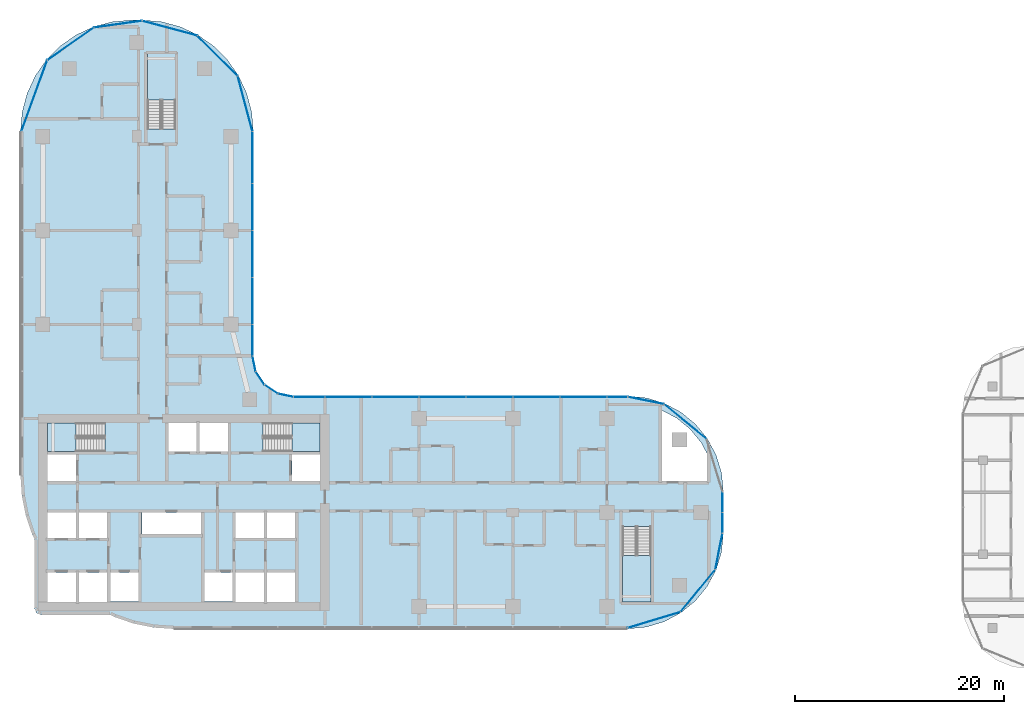
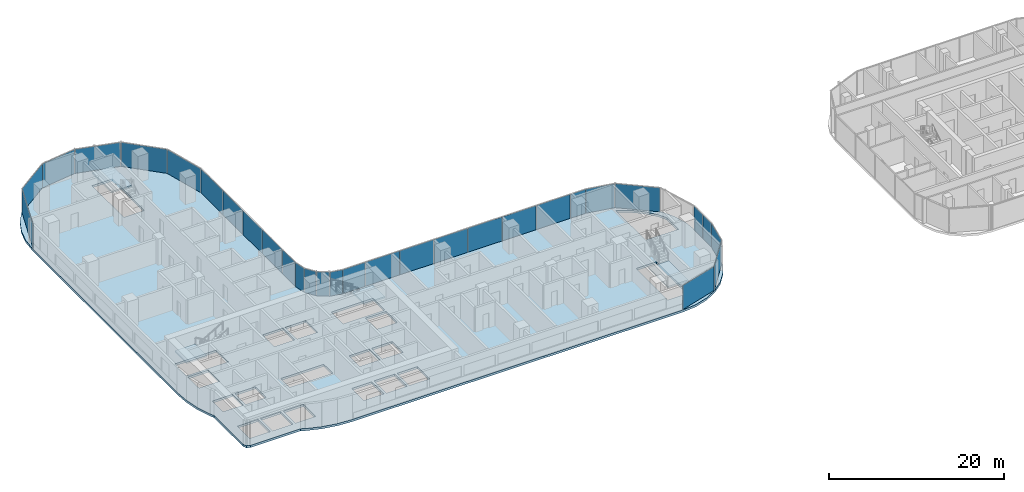
# One storey, part 14 of 32: 30 plates, 5 slabs, 11 elements without a shape of their own.
"""IFC4 building model written with IfcOpenShell, lengths in metres."""

from ifc_helpers import new_model, si_unit, direction, frame, origin, origin_2d, place, context, subcontext, project, spatial, polyline, rectangle, outline, extrude, material, layer, layer_set, type_object, element, aggregate, save


model = new_model("IFC4")

# Units and contexts
model_context = context("Model", 3, precision=1e-05, world=origin(), true_north=direction((0.0, 1.0)))
body_context = subcontext(model_context, "Body", "Model", "MODEL_VIEW")
ifc_project = project(units=[si_unit("LENGTHUNIT", "METRE"), si_unit("AREAUNIT", "SQUARE_METRE"), si_unit("VOLUMEUNIT", "CUBIC_METRE"), si_unit("PLANEANGLEUNIT", "RADIAN"), si_unit("MASSUNIT", "GRAM", prefix="KILO")], contexts=[model_context])

# Site, building, storey
site_placement = place(None, origin())
site = spatial("IfcSite", under=ifc_project, at=site_placement, CompositionType="ELEMENT")
building_placement = place(site_placement, origin())
building = spatial("IfcBuilding", under=site, at=building_placement, Name="Ogive Portal Towers", CompositionType="ELEMENT")
storey_placement = place(building_placement, frame((0.0, 0.0, 59.39990234375)))
storey = spatial("IfcBuildingStorey", under=building, at=storey_placement, Name="L13", CompositionType="ELEMENT", Elevation=59.39990234375)

# Curtain wall, plates
ifc_material_1 = material(Name="Glass, clear low-iron insulated glazing", Category="glass")
curtain_wall_type = type_object("IfcCurtainWallType", Name="CW FRONT RIBBON 4500", PredefinedType="NOTDEFINED", material=ifc_material_1)
curtain_wall_1_placement = place(storey_placement, origin())
curtain_wall_1 = element("IfcCurtainWall", 1, at=curtain_wall_1_placement, inside=storey, type_object=curtain_wall_type, Name="A:L13:f12:cw0", PredefinedType="NOTDEFINED")
ifc_layer_1 = layer(ifc_material_1, 0.028076171875)
ifc_layer_set_1 = layer_set([ifc_layer_1], Name="CW PANEL IGU 28")
plate_type = type_object("IfcPlateType", Name="CW PANEL IGU 28", PredefinedType="CURTAIN_PANEL", material=ifc_layer_set_1)
plate_1_placement = place(storey_placement, frame((96.56494140625, 29.50390625, 0.0), z_axis=(0.0, 0.0, 1.0), x_axis=(0.0, 1.0, 0.0)))
plate_1 = element("IfcPlate", 2, at=plate_1_placement, type_object=plate_type, Name="panel", PredefinedType="CURTAIN_PANEL", context=body_context, shape_type="SweptSolid", body=[
    extrude(rectangle(XDim=1.93212890625, YDim=0.028076171875, at=origin_2d()), origin(), (0.0, 0.0, 1.0), 3.340087890625),
])
plate_2_placement = place(storey_placement, frame((96.56494140625, 31.494140625, 0.0), z_axis=(0.0, 0.0, 1.0), x_axis=(0.0, 1.0, 0.0)))
plate_2 = element("IfcPlate", 3, at=plate_2_placement, type_object=plate_type, Name="panel", PredefinedType="CURTAIN_PANEL", context=body_context, shape_type="SweptSolid", body=[
    extrude(rectangle(XDim=1.92822265625, YDim=0.028076171875, at=origin_2d()), origin(), (0.0, 0.0, 1.0), 3.340087890625),
])
aggregate(curtain_wall_1, [plate_1, plate_2])

curtain_wall_2_placement = place(storey_placement, origin())
curtain_wall_2 = element("IfcCurtainWall", 4, at=curtain_wall_2_placement, inside=storey, type_object=curtain_wall_type, Name="A:L13:f16:cw0", PredefinedType="NOTDEFINED")
plate_3_placement = place(storey_placement, frame((86.49609375, 41.56494140625, 0.0), z_axis=(0.0, 0.0, 1.0), x_axis=(-1.0, 0.0, 0.0)))
plate_3 = element("IfcPlate", 5, at=plate_3_placement, type_object=plate_type, Name="panel", PredefinedType="CURTAIN_PANEL", context=body_context, shape_type="SweptSolid", body=[
    extrude(rectangle(XDim=1.93212890625, YDim=0.028076171875, at=origin_2d()), origin(), (0.0, 0.0, 1.0), 3.340087890625),
])
plate_4_placement = place(storey_placement, frame((83.25, 41.56494140625, 0.0), z_axis=(0.0, 0.0, 1.0), x_axis=(-1.0, 0.0, 0.0)))
plate_4 = element("IfcPlate", 6, at=plate_4_placement, type_object=plate_type, Name="panel", PredefinedType="CURTAIN_PANEL", context=body_context, shape_type="SweptSolid", body=[
    extrude(rectangle(XDim=4.43994140625, YDim=0.028076171875, at=origin_2d()), origin(), (0.0, 0.0, 1.0), 3.340087890625),
])
plate_5_placement = place(storey_placement, frame((78.75, 41.56494140625, 0.0), z_axis=(0.0, 0.0, 1.0), x_axis=(-1.0, 0.0, 0.0)))
plate_5 = element("IfcPlate", 7, at=plate_5_placement, type_object=plate_type, Name="panel", PredefinedType="CURTAIN_PANEL", context=body_context, shape_type="SweptSolid", body=[
    extrude(rectangle(XDim=4.43994140625, YDim=0.028076171875, at=origin_2d()), origin(), (0.0, 0.0, 1.0), 3.340087890625),
])
plate_6_placement = place(storey_placement, frame((74.25, 41.56494140625, 0.0), z_axis=(0.0, 0.0, 1.0), x_axis=(-1.0, 0.0, 0.0)))
plate_6 = element("IfcPlate", 8, at=plate_6_placement, type_object=plate_type, Name="panel", PredefinedType="CURTAIN_PANEL", context=body_context, shape_type="SweptSolid", body=[
    extrude(rectangle(XDim=4.43994140625, YDim=0.028076171875, at=origin_2d()), origin(), (0.0, 0.0, 1.0), 3.340087890625),
])
plate_7_placement = place(storey_placement, frame((69.75, 41.56494140625, 0.0), z_axis=(0.0, 0.0, 1.0), x_axis=(-1.0, 0.0, 0.0)))
plate_7 = element("IfcPlate", 9, at=plate_7_placement, type_object=plate_type, Name="panel", PredefinedType="CURTAIN_PANEL", context=body_context, shape_type="SweptSolid", body=[
    extrude(rectangle(XDim=4.43994140625, YDim=0.028076171875, at=origin_2d()), origin(), (0.0, 0.0, 1.0), 3.340087890625),
])
plate_8_placement = place(storey_placement, frame((65.25, 41.56494140625, 0.0), z_axis=(0.0, 0.0, 1.0), x_axis=(-1.0, 0.0, 0.0)))
plate_8 = element("IfcPlate", 10, at=plate_8_placement, type_object=plate_type, Name="panel", PredefinedType="CURTAIN_PANEL", context=body_context, shape_type="SweptSolid", body=[
    extrude(rectangle(XDim=4.43994140625, YDim=0.028076171875, at=origin_2d()), origin(), (0.0, 0.0, 1.0), 3.340087890625),
])
plate_9_placement = place(storey_placement, frame((60.75, 41.56494140625, 0.0), z_axis=(0.0, 0.0, 1.0), x_axis=(-1.0, 0.0, 0.0)))
plate_9 = element("IfcPlate", 11, at=plate_9_placement, type_object=plate_type, Name="panel", PredefinedType="CURTAIN_PANEL", context=body_context, shape_type="SweptSolid", body=[
    extrude(rectangle(XDim=4.43994140625, YDim=0.028076171875, at=origin_2d()), origin(), (0.0, 0.0, 1.0), 3.340087890625),
])
plate_10_placement = place(storey_placement, frame((56.99609375, 41.56494140625, 0.0), z_axis=(0.0, 0.0, 1.0), x_axis=(-1.0, 0.0, 0.0)))
plate_10 = element("IfcPlate", 12, at=plate_10_placement, type_object=plate_type, Name="panel", PredefinedType="CURTAIN_PANEL", context=body_context, shape_type="SweptSolid", body=[
    extrude(rectangle(XDim=2.947998046875, YDim=0.028076171875, at=origin_2d()), origin(), (0.0, 0.0, 1.0), 3.340087890625),
])
aggregate(curtain_wall_2, [plate_3, plate_4, plate_5, plate_6, plate_7, plate_8, plate_9, plate_10])

curtain_wall_3_placement = place(storey_placement, origin())
curtain_wall_3 = element("IfcCurtainWall", 13, at=curtain_wall_3_placement, inside=storey, type_object=curtain_wall_type, Name="A:L13:f21:cw0", PredefinedType="NOTDEFINED")
plate_11_placement = place(storey_placement, frame((51.56494140625, 46.99609375, 0.0), z_axis=(0.0, 0.0, 1.0), x_axis=(0.0, 1.0, 0.0)))
plate_11 = element("IfcPlate", 14, at=plate_11_placement, type_object=plate_type, Name="panel", PredefinedType="CURTAIN_PANEL", context=body_context, shape_type="SweptSolid", body=[
    extrude(rectangle(XDim=2.947998046875, YDim=0.028076171875, at=origin_2d()), origin(), (0.0, 0.0, 1.0), 3.340087890625),
])
plate_12_placement = place(storey_placement, frame((51.56494140625, 50.75, 0.0), z_axis=(0.0, 0.0, 1.0), x_axis=(0.0, 1.0, 0.0)))
plate_12 = element("IfcPlate", 15, at=plate_12_placement, type_object=plate_type, Name="panel", PredefinedType="CURTAIN_PANEL", context=body_context, shape_type="SweptSolid", body=[
    extrude(rectangle(XDim=4.43994140625, YDim=0.028076171875, at=origin_2d()), origin(), (0.0, 0.0, 1.0), 3.340087890625),
])
plate_13_placement = place(storey_placement, frame((51.56494140625, 55.25, 0.0), z_axis=(0.0, 0.0, 1.0), x_axis=(0.0, 1.0, 0.0)))
plate_13 = element("IfcPlate", 16, at=plate_13_placement, type_object=plate_type, Name="panel", PredefinedType="CURTAIN_PANEL", context=body_context, shape_type="SweptSolid", body=[
    extrude(rectangle(XDim=4.43994140625, YDim=0.028076171875, at=origin_2d()), origin(), (0.0, 0.0, 1.0), 3.340087890625),
])
plate_14_placement = place(storey_placement, frame((51.56494140625, 59.75, 0.0), z_axis=(0.0, 0.0, 1.0), x_axis=(0.0, 1.0, 0.0)))
plate_14 = element("IfcPlate", 17, at=plate_14_placement, type_object=plate_type, Name="panel", PredefinedType="CURTAIN_PANEL", context=body_context, shape_type="SweptSolid", body=[
    extrude(rectangle(XDim=4.43994140625, YDim=0.028076171875, at=origin_2d()), origin(), (0.0, 0.0, 1.0), 3.340087890625),
])
plate_15_placement = place(storey_placement, frame((51.56494140625, 64.49462890625, 0.0), z_axis=(0.0, 0.0, 1.0), x_axis=(0.0, 1.0, 0.0)))
plate_15 = element("IfcPlate", 18, at=plate_15_placement, type_object=plate_type, Name="panel", PredefinedType="CURTAIN_PANEL", context=body_context, shape_type="SweptSolid", body=[
    extrude(rectangle(XDim=4.929443359375, YDim=0.028076171875, at=origin_2d()), origin(), (0.0, 0.0, 1.0), 3.340087890625),
])
aggregate(curtain_wall_3, [plate_11, plate_12, plate_13, plate_14, plate_15])

curtain_wall_4_placement = place(storey_placement, origin())
curtain_wall_4 = element("IfcCurtainWall", 19, at=curtain_wall_4_placement, inside=storey, type_object=curtain_wall_type, Name="A:L13:f09:cwa", PredefinedType="NOTDEFINED")
plate_16_placement = place(storey_placement, frame((90.01123046875, 20.200439453125, 0.0), z_axis=(0.0, 0.0, 1.0), x_axis=(0.956940335732, 0.290284677254, 0.0)))
plate_16 = element("IfcPlate", 20, at=plate_16_placement, type_object=plate_type, Name="panel", PredefinedType="CURTAIN_PANEL", context=body_context, shape_type="SweptSolid", body=[
    extrude(rectangle(XDim=5.213134765625, YDim=0.028076171875, at=origin_2d()), origin(), (0.0, 0.0, 1.0), 3.340087890625),
])
plate_17_placement = place(storey_placement, frame((94.204345703125, 23.000732421875, 0.0), z_axis=(0.0, 0.0, 1.0), x_axis=(0.634393284164, 0.773010453363, 0.0)))
plate_17 = element("IfcPlate", 21, at=plate_17_placement, type_object=plate_type, Name="panel", PredefinedType="CURTAIN_PANEL", context=body_context, shape_type="SweptSolid", body=[
    extrude(rectangle(XDim=5.205078125, YDim=0.028076171875, at=origin_2d()), origin(), (0.0, 0.0, 1.0), 3.340087890625),
])
plate_18_placement = place(storey_placement, frame((96.2197265625, 26.771728515625, 0.0), z_axis=(0.0, 0.0, 1.0), x_axis=(0.195090322016, 0.980785280403, 0.0)))
plate_18 = element("IfcPlate", 22, at=plate_18_placement, type_object=plate_type, Name="panel", PredefinedType="CURTAIN_PANEL", context=body_context, shape_type="SweptSolid", body=[
    extrude(rectangle(XDim=3.480224609375, YDim=0.028076171875, at=origin_2d()), origin(), (0.0, 0.0, 1.0), 3.340087890625),
])
aggregate(curtain_wall_4, [plate_16, plate_17, plate_18])

curtain_wall_5_placement = place(storey_placement, origin())
curtain_wall_5 = element("IfcCurtainWall", 23, at=curtain_wall_5_placement, inside=storey, type_object=curtain_wall_type, Name="A:L13:f13:cwa", PredefinedType="NOTDEFINED")
plate_19_placement = place(storey_placement, frame((92.999267578125, 39.204345703125, 0.0), z_axis=(0.0, 0.0, 1.0), x_axis=(-0.773010453363, 0.634393284164, 0.0)))
plate_19 = element("IfcPlate", 24, at=plate_19_placement, type_object=plate_type, Name="panel", PredefinedType="CURTAIN_PANEL", context=body_context, shape_type="SweptSolid", body=[
    extrude(rectangle(XDim=5.205078125, YDim=0.028076171875, at=origin_2d()), origin(), (0.0, 0.0, 1.0), 3.340087890625),
])
plate_20_placement = place(storey_placement, frame((89.228271484375, 41.2197265625, 0.0), z_axis=(0.0, 0.0, 1.0), x_axis=(-0.980785280403, 0.195090322016, 0.0)))
plate_20 = element("IfcPlate", 25, at=plate_20_placement, type_object=plate_type, Name="panel", PredefinedType="CURTAIN_PANEL", context=body_context, shape_type="SweptSolid", body=[
    extrude(rectangle(XDim=3.480224609375, YDim=0.028076171875, at=origin_2d()), origin(), (0.0, 0.0, 1.0), 3.340087890625),
])
aggregate(curtain_wall_5, [plate_19, plate_20])

curtain_wall_6_placement = place(storey_placement, origin())
curtain_wall_6 = element("IfcCurtainWall", 26, at=curtain_wall_6_placement, inside=storey, type_object=curtain_wall_type, Name="A:L13:f17:cwa", PredefinedType="NOTDEFINED")
plate_21_placement = place(storey_placement, frame((54.742919921875, 41.714111328125, 0.0), z_axis=(0.0, 0.0, 1.0), x_axis=(-0.980785280403, 0.195090322016, 0.0)))
plate_21 = element("IfcPlate", 27, at=plate_21_placement, type_object=plate_type, Name="panel", PredefinedType="CURTAIN_PANEL", context=body_context, shape_type="SweptSolid", body=[
    extrude(rectangle(XDim=1.468017578125, YDim=0.028076171875, at=origin_2d()), origin(), (0.0, 0.0, 1.0), 3.340087890625),
])
plate_22_placement = place(storey_placement, frame((53.35498046875, 42.289794921875, 0.0), z_axis=(0.0, 0.0, 1.0), x_axis=(-0.831469612303, 0.55557023302, 0.0)))
plate_22 = element("IfcPlate", 28, at=plate_22_placement, type_object=plate_type, Name="panel", PredefinedType="CURTAIN_PANEL", context=body_context, shape_type="SweptSolid", body=[
    extrude(rectangle(XDim=1.47607421875, YDim=0.028076171875, at=origin_2d()), origin(), (0.0, 0.0, 1.0), 3.340087890625),
])
plate_23_placement = place(storey_placement, frame((52.289794921875, 43.35498046875, 0.0), z_axis=(0.0, 0.0, 1.0), x_axis=(-0.55557023302, 0.831469612303, 0.0)))
plate_23 = element("IfcPlate", 29, at=plate_23_placement, type_object=plate_type, Name="panel", PredefinedType="CURTAIN_PANEL", context=body_context, shape_type="SweptSolid", body=[
    extrude(rectangle(XDim=1.47607421875, YDim=0.028076171875, at=origin_2d()), origin(), (0.0, 0.0, 1.0), 3.340087890625),
])
plate_24_placement = place(storey_placement, frame((51.714111328125, 44.742919921875, 0.0), z_axis=(0.0, 0.0, 1.0), x_axis=(-0.195090322016, 0.980785280403, 0.0)))
plate_24 = element("IfcPlate", 30, at=plate_24_placement, type_object=plate_type, Name="panel", PredefinedType="CURTAIN_PANEL", context=body_context, shape_type="SweptSolid", body=[
    extrude(rectangle(XDim=1.468017578125, YDim=0.028076171875, at=origin_2d()), origin(), (0.0, 0.0, 1.0), 3.340087890625),
])
aggregate(curtain_wall_6, [plate_21, plate_22, plate_23, plate_24])

curtain_wall_7_placement = place(storey_placement, origin())
curtain_wall_7 = element("IfcCurtainWall", 31, at=curtain_wall_7_placement, inside=storey, type_object=curtain_wall_type, Name="A:L13:f22:cwa", PredefinedType="NOTDEFINED")
plate_25_placement = place(storey_placement, frame((50.85595703125, 69.63525390625, 0.0), z_axis=(0.0, 0.0, 1.0), x_axis=(-0.258819045103, 0.965925826289, 0.0)))
plate_25 = element("IfcPlate", 32, at=plate_25_placement, type_object=plate_type, Name="panel", PredefinedType="CURTAIN_PANEL", context=body_context, shape_type="SweptSolid", body=[
    extrude(rectangle(XDim=5.418212890625, YDim=0.028076171875, at=origin_2d()), origin(), (0.0, 0.0, 1.0), 3.340087890625),
])
plate_26_placement = place(storey_placement, frame((48.214111328125, 74.214111328125, 0.0), z_axis=(0.0, 0.0, 1.0), x_axis=(-0.707106781187, 0.707106781187, 0.0)))
plate_26 = element("IfcPlate", 33, at=plate_26_placement, type_object=plate_type, Name="panel", PredefinedType="CURTAIN_PANEL", context=body_context, shape_type="SweptSolid", body=[
    extrude(rectangle(XDim=5.407470703125, YDim=0.028076171875, at=origin_2d()), origin(), (0.0, 0.0, 1.0), 3.340087890625),
])
plate_27_placement = place(storey_placement, frame((43.637939453125, 76.855224609375, 0.0), z_axis=(0.0, 0.0, 1.0), x_axis=(-0.965925826289, 0.258819045103, 0.0)))
plate_27 = element("IfcPlate", 34, at=plate_27_placement, type_object=plate_type, Name="panel", PredefinedType="CURTAIN_PANEL", context=body_context, shape_type="SweptSolid", body=[
    extrude(rectangle(XDim=5.41259765625, YDim=0.028076171875, at=origin_2d()), origin(), (0.0, 0.0, 1.0), 3.340087890625),
])
plate_28_placement = place(storey_placement, frame((38.692138671875, 77.244873046875, 0.0), z_axis=(0.0, 0.0, 1.0), x_axis=(-0.990567282946, -0.137027216118, 0.0)))
plate_28 = element("IfcPlate", 35, at=plate_28_placement, type_object=plate_type, Name="panel", PredefinedType="CURTAIN_PANEL", context=body_context, shape_type="SweptSolid", body=[
    extrude(rectangle(XDim=4.589599609375, YDim=0.028076171875, at=origin_2d()), origin(), (0.0, 0.0, 1.0), 3.340087890625),
])
plate_29_placement = place(storey_placement, frame((34.150634765625, 75.35888671875, 0.0), z_axis=(0.0, 0.0, 1.0), x_axis=(-0.819152044289, -0.573576436351, 0.0)))
plate_29 = element("IfcPlate", 36, at=plate_29_placement, type_object=plate_type, Name="panel", PredefinedType="CURTAIN_PANEL", context=body_context, shape_type="SweptSolid", body=[
    extrude(rectangle(XDim=5.40576171875, YDim=0.028076171875, at=origin_2d()), origin(), (0.0, 0.0, 1.0), 3.340087890625),
])
plate_30_placement = place(storey_placement, frame((30.673583984375, 70.388671875, 0.0), z_axis=(0.0, 0.0, 1.0), x_axis=(-0.342020143326, -0.939692620786, 0.0)))
plate_30 = element("IfcPlate", 37, at=plate_30_placement, type_object=plate_type, Name="panel", PredefinedType="CURTAIN_PANEL", context=body_context, shape_type="SweptSolid", body=[
    extrude(rectangle(XDim=7.182373046875, YDim=0.028076171875, at=origin_2d()), origin(), (0.0, 0.0, 1.0), 3.340087890625),
])
aggregate(curtain_wall_7, [plate_25, plate_26, plate_27, plate_28, plate_29, plate_30])

# Stair, slab
ifc_material_2 = material(Name="Concrete C40/50", Category="concrete")
stair_type = type_object("IfcStairType", Name="INT-STAIR", PredefinedType="HALF_TURN_STAIR", material=ifc_material_2)
stair_1_placement = place(storey_placement, origin())
stair_1 = element("IfcStair", 38, at=stair_1_placement, inside=storey, type_object=stair_type, Name="L13 Exit Stair ST-A1", PredefinedType="HALF_TURN_STAIR")
ifc_layer_2 = layer(ifc_material_2, 0.199951171875)
ifc_layer_set_2 = layer_set([ifc_layer_2], Name="INT-LANDING")
slab_type_1 = type_object("IfcSlabType", Name="INT-LANDING", PredefinedType="LANDING", material=ifc_layer_set_2)
slab_1_placement = place(storey_placement, frame((0.0, 0.0, 1.650146484375)))
slab_1 = element("IfcSlab", 39, at=slab_1_placement, type_object=slab_type_1, Name="ST-A1 landing 1", PredefinedType="LANDING", context=body_context, shape_type="SweptSolid", body=[
    extrude(outline(polyline([(34.64990234375, 39.050048828125), (31.949951171875, 39.050048828125), (31.949951171875, 36.35009765625), (34.64990234375, 36.35009765625), (34.64990234375, 39.050048828125)])), origin(), (0.0, 0.0, 1.0), 0.199951171875),
])
aggregate(stair_1, [slab_1])

stair_2_placement = place(storey_placement, origin())
stair_2 = element("IfcStair", 40, at=stair_2_placement, inside=storey, type_object=stair_type, Name="L13 Exit Stair ST-A2", PredefinedType="HALF_TURN_STAIR")
slab_2_placement = place(storey_placement, frame((0.0, 0.0, 1.650146484375)))
slab_2 = element("IfcSlab", 41, at=slab_2_placement, type_object=slab_type_1, Name="ST-A2 landing 1", PredefinedType="LANDING", context=body_context, shape_type="SweptSolid", body=[
    extrude(outline(polyline([(55.35009765625, 36.35009765625), (58.050048828125, 36.35009765625), (58.050048828125, 39.050048828125), (55.35009765625, 39.050048828125), (55.35009765625, 36.35009765625)])), origin(), (0.0, 0.0, 1.0), 0.199951171875),
])
aggregate(stair_2, [slab_2])

stair_3_placement = place(storey_placement, origin())
stair_3 = element("IfcStair", 42, at=stair_3_placement, inside=storey, type_object=stair_type, Name="L13 Exit Stair ST-A3", PredefinedType="HALF_TURN_STAIR")
slab_3_placement = place(storey_placement, frame((0.0, 0.0, 1.650146484375)))
slab_3 = element("IfcSlab", 43, at=slab_3_placement, type_object=slab_type_1, Name="ST-A3 landing 1", PredefinedType="LANDING", context=body_context, shape_type="SweptSolid", body=[
    extrude(outline(polyline([(44.199951171875, 70.0), (44.199951171875, 74.449951171875), (41.5, 74.449951171875), (41.5, 70.0), (44.199951171875, 70.0)])), origin(), (0.0, 0.0, 1.0), 0.199951171875),
])
aggregate(stair_3, [slab_3])

stair_4_placement = place(storey_placement, origin())
stair_4 = element("IfcStair", 44, at=stair_4_placement, inside=storey, type_object=stair_type, Name="L13 Exit Stair ST-A4", PredefinedType="HALF_TURN_STAIR")
slab_4_placement = place(storey_placement, frame((0.0, 0.0, 1.650146484375)))
slab_4 = element("IfcSlab", 45, at=slab_4_placement, type_object=slab_type_1, Name="ST-A4 landing 1", PredefinedType="LANDING", context=body_context, shape_type="SweptSolid", body=[
    extrude(outline(polyline([(87.0, 26.3701171875), (87.0, 21.949951171875), (89.699951171875, 21.949951171875), (89.699951171875, 26.3701171875), (87.0, 26.3701171875)])), origin(), (0.0, 0.0, 1.0), 0.199951171875),
])
aggregate(stair_4, [slab_4])

# Slab
ifc_material_3 = material(Name="Concrete C45/55", Category="concrete")
ifc_layer_3 = layer(ifc_material_3, 0.300048828125)
ifc_layer_set_3 = layer_set([ifc_layer_3], Name="PT FLAT PLATE 300")
slab_type_2 = type_object("IfcSlabType", Name="PT FLAT PLATE 300", PredefinedType="FLOOR", material=ifc_layer_set_3)
slab_5_placement = place(storey_placement, frame((0.0, 0.0, -0.2998046875)))
element("IfcSlab", 46, at=slab_5_placement, inside=storey, type_object=slab_type_2, Name="Floor slab L13", PredefinedType="FLOOR", context=body_context, shape_type="SweptSolid", body=[
    extrude(outline(polyline([(29.85400390625, 30.209716796875), (30.4697265625, 28.3955078125), (30.699951171875, 27.9287109375), (30.699951171875, 21.300048828125), (30.875732421875, 20.875732421875), (31.300048828125, 20.699951171875), (37.9287109375, 20.699951171875), (38.3955078125, 20.4697265625), (40.209716796875, 19.85400390625), (42.08837890625, 19.480224609375), (44.0, 19.35498046875), (87.5, 19.35498046875), (89.2841796875, 19.53076171875), (90.99951171875, 20.051025390625), (92.580810546875, 20.896240234375), (93.966552734375, 22.033447265625), (95.103759765625, 23.419189453125), (95.948974609375, 25.00048828125), (96.46923828125, 26.7158203125), (96.64501953125, 28.5), (96.64501953125, 32.5), (96.46923828125, 34.2841796875), (95.948974609375, 35.99951171875), (95.103759765625, 37.580810546875), (93.966552734375, 38.966552734375), (92.580810546875, 40.103759765625), (90.99951171875, 40.948974609375), (89.2841796875, 41.46923828125), (87.5, 41.64501953125), (55.5, 41.64501953125), (54.02490234375, 41.9384765625), (52.774169921875, 42.774169921875), (51.9384765625, 44.02490234375), (51.64501953125, 45.5), (51.64501953125, 67.0), (51.4833984375, 68.848388671875), (51.0029296875, 70.640869140625), (50.21875, 72.322509765625), (49.154541015625, 73.842529296875), (47.842529296875, 75.154541015625), (46.322509765625, 76.21875), (44.640869140625, 77.0029296875), (42.848388671875, 77.4833984375), (41.0, 77.64501953125), (40.0, 77.64501953125), (38.151611328125, 77.4833984375), (36.359130859375, 77.0029296875), (34.677490234375, 76.21875), (33.157470703125, 75.154541015625), (31.845458984375, 73.842529296875), (30.78125, 72.322509765625), (29.9970703125, 70.640869140625), (29.5166015625, 68.848388671875), (29.35498046875, 67.0), (29.35498046875, 34.0), (29.480224609375, 32.08837890625), (29.85400390625, 30.209716796875)]), holes=[polyline([(34.64990234375, 24.75), (34.64990234375, 21.949951171875), (31.949951171875, 21.949951171875), (31.949951171875, 24.75), (34.64990234375, 24.75)]), polyline([(37.64990234375, 24.75), (37.64990234375, 21.949951171875), (34.949951171875, 21.949951171875), (34.949951171875, 24.75), (37.64990234375, 24.75)]), polyline([(40.6298828125, 21.969970703125), (37.969970703125, 21.969970703125), (37.969970703125, 24.72998046875), (40.6298828125, 24.72998046875), (40.6298828125, 21.969970703125)]), polyline([(34.64990234375, 28.050048828125), (31.949951171875, 28.050048828125), (31.949951171875, 30.5), (34.64990234375, 30.5), (34.64990234375, 28.050048828125)]), polyline([(37.64990234375, 28.050048828125), (34.949951171875, 28.050048828125), (34.949951171875, 30.5), (37.64990234375, 30.5), (37.64990234375, 28.050048828125)]), polyline([(46.6298828125, 28.447021484375), (40.969970703125, 28.447021484375), (40.969970703125, 30.47998046875), (46.6298828125, 30.47998046875), (46.6298828125, 28.447021484375)]), polyline([(34.64990234375, 33.5), (31.949951171875, 33.5), (31.949951171875, 36.050048828125), (34.64990234375, 36.050048828125), (34.64990234375, 33.5)]), polyline([(37.447998046875, 39.048095703125), (37.447998046875, 36.35205078125), (31.951904296875, 36.35205078125), (31.951904296875, 39.048095703125), (37.447998046875, 39.048095703125)]), polyline([(46.199951171875, 39.050048828125), (46.199951171875, 36.35009765625), (43.5, 36.35009765625), (43.5, 39.050048828125), (46.199951171875, 39.050048828125)]), polyline([(49.199951171875, 36.35009765625), (46.5, 36.35009765625), (46.5, 39.050048828125), (49.199951171875, 39.050048828125), (49.199951171875, 36.35009765625)]), polyline([(44.197998046875, 67.201904296875), (41.501953125, 67.201904296875), (41.501953125, 74.447998046875), (44.197998046875, 74.447998046875), (44.197998046875, 67.201904296875)]), polyline([(49.6298828125, 21.969970703125), (46.969970703125, 21.969970703125), (46.969970703125, 24.72998046875), (49.6298828125, 24.72998046875), (49.6298828125, 21.969970703125)]), polyline([(52.64990234375, 24.75), (52.64990234375, 21.949951171875), (49.949951171875, 21.949951171875), (49.949951171875, 24.75), (52.64990234375, 24.75)]), polyline([(55.64990234375, 21.949951171875), (52.949951171875, 21.949951171875), (52.949951171875, 24.75), (55.64990234375, 24.75), (55.64990234375, 21.949951171875)]), polyline([(87.001953125, 29.16796875), (89.697998046875, 29.16796875), (89.697998046875, 21.951904296875), (87.001953125, 21.951904296875), (87.001953125, 29.16796875)]), polyline([(52.64990234375, 30.5), (52.64990234375, 28.050048828125), (49.949951171875, 28.050048828125), (49.949951171875, 30.5), (52.64990234375, 30.5)]), polyline([(55.64990234375, 28.050048828125), (52.949951171875, 28.050048828125), (52.949951171875, 30.5), (55.64990234375, 30.5), (55.64990234375, 28.050048828125)]), polyline([(58.050048828125, 36.050048828125), (58.050048828125, 33.5), (55.35009765625, 33.5), (55.35009765625, 36.050048828125), (58.050048828125, 36.050048828125)]), polyline([(95.080078125, 36.14013671875), (95.080078125, 33.52001953125), (90.77001953125, 33.52001953125), (90.77001953125, 40.27783203125), (92.18994140625, 39.518798828125), (93.468994140625, 38.468994140625), (94.518798828125, 37.18994140625), (95.080078125, 36.14013671875)]), polyline([(52.552001953125, 36.35205078125), (52.552001953125, 39.048095703125), (58.048095703125, 39.048095703125), (58.048095703125, 36.35205078125), (52.552001953125, 36.35205078125)])]), origin(), (0.0, 0.0, 1.0), 0.2998046875),
])

save(model, "model.ifc")
